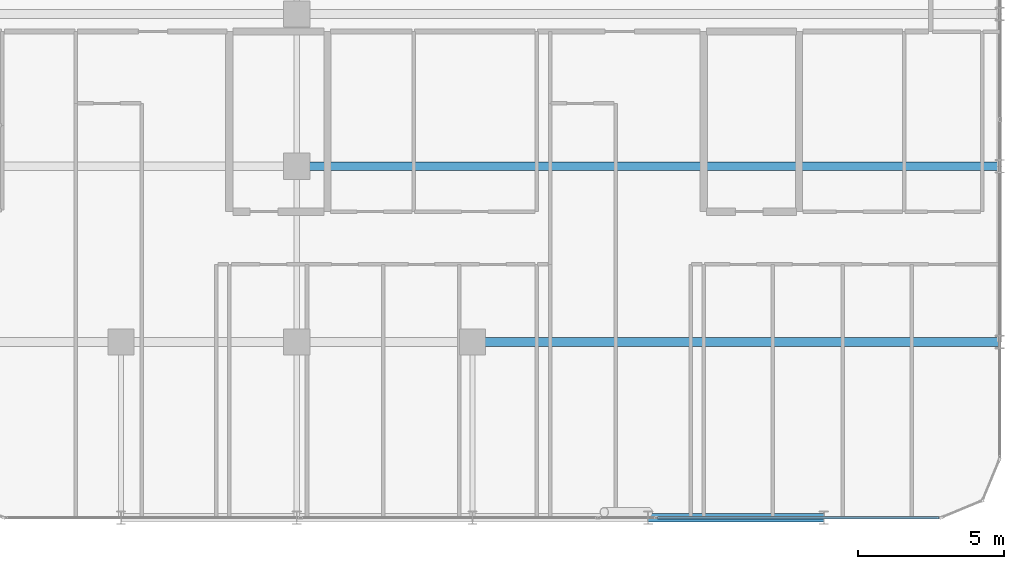
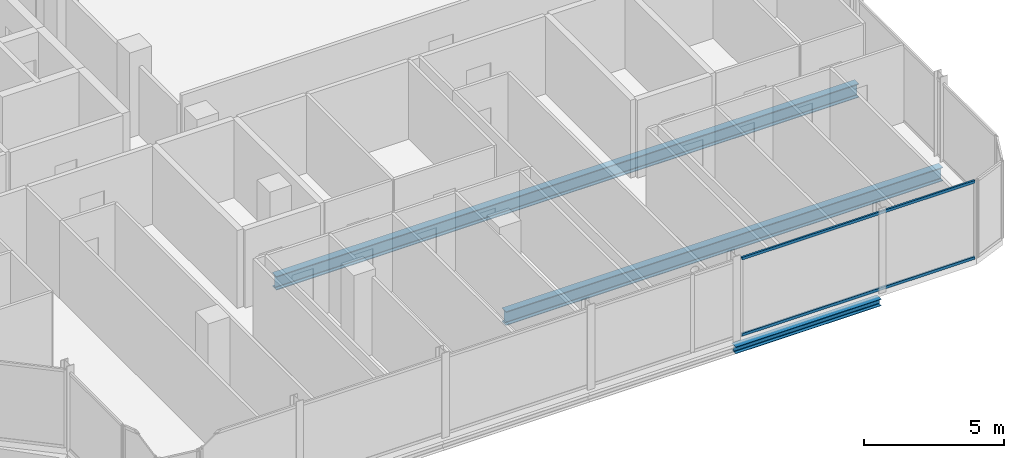
# One storey, part 11 of 29: 3 beams, 2 members, 1 element without a shape of its own.
"""IFC4 building model written with IfcOpenShell, lengths in metres."""

from ifc_helpers import new_model, si_unit, direction, frame, origin, origin_2d, place, context, subcontext, project, spatial, hollow_rectangle, i_section, extrude, material, layer, layer_set, material_profile, profile_set, type_object, element, aggregate, save


model = new_model("IFC4")

# Units and contexts
model_context = context("Model", 3, precision=1e-05, world=origin(), true_north=direction((0.0, 1.0)))
body_context = subcontext(model_context, "Body", "Model", "MODEL_VIEW")
ifc_project = project(units=[si_unit("LENGTHUNIT", "METRE"), si_unit("AREAUNIT", "SQUARE_METRE"), si_unit("VOLUMEUNIT", "CUBIC_METRE"), si_unit("PLANEANGLEUNIT", "RADIAN"), si_unit("MASSUNIT", "GRAM", prefix="KILO")], contexts=[model_context])

# Site, building, storey
site_placement = place(None, origin())
site = spatial("IfcSite", under=ifc_project, at=site_placement, CompositionType="ELEMENT")
building_placement = place(site_placement, origin())
building = spatial("IfcBuilding", under=site, at=building_placement, Name="Keshet Zoharim Tower", CompositionType="ELEMENT")
storey_placement = place(building_placement, frame((0.0, 0.0, 169.10009765625)))
storey = spatial("IfcBuildingStorey", under=building, at=storey_placement, Name="L41", CompositionType="ELEMENT", Elevation=169.10009765625)

# Beams
ifc_material_1 = material(Name="Steel S355", Category="steel")
ifc_material_profile_1 = material_profile(ifc_material_1, i_section(OverallWidth=0.300048828125, OverallDepth=0.60009765625, WebThickness=0.015380859375, FlangeThickness=0.030029296875, FilletRadius=0.027099609375, at=origin_2d()), Name="HEB600")
ifc_profile_set_1 = profile_set([ifc_material_profile_1], Name="Steel S355")
beam_type_1 = type_object("IfcBeamType", Name="BM-LNG-HB600", PredefinedType="BEAM", material=ifc_profile_set_1)
beam_1_placement = place(storey_placement, frame((39.0, 6.699951171875, -0.610107421875), z_axis=(1.0, 0.0, 0.0), x_axis=(0.0, 1.0, 0.0)))
element("IfcBeam", 1, at=beam_1_placement, inside=storey, type_object=beam_type_1, Name="L41 Primary Girder X-008", PredefinedType="BEAM", context=body_context, shape_type="SweptSolid", body=[
    extrude(i_section(OverallWidth=0.300048828125, OverallDepth=0.60009765625, WebThickness=0.015380859375, FlangeThickness=0.030029296875, FilletRadius=0.027099609375, at=origin_2d()), origin(), (0.0, 0.0, 1.0), 18.0),
])
beam_2_placement = place(storey_placement, frame((33.0, 12.699951171875, -0.610107421875), z_axis=(1.0, 0.0, 0.0), x_axis=(0.0, 1.0, 0.0)))
element("IfcBeam", 2, at=beam_2_placement, inside=storey, type_object=beam_type_1, Name="L41 Primary Girder X-010", PredefinedType="BEAM", context=body_context, shape_type="SweptSolid", body=[
    extrude(i_section(OverallWidth=0.300048828125, OverallDepth=0.60009765625, WebThickness=0.015380859375, FlangeThickness=0.030029296875, FilletRadius=0.027099609375, at=origin_2d()), origin(), (0.0, 0.0, 1.0), 24.0),
])
ifc_material_profile_2 = material_profile(ifc_material_1, i_section(OverallWidth=0.300048828125, OverallDepth=0.300048828125, WebThickness=0.010986328125, FlangeThickness=0.01904296875, FilletRadius=0.027099609375, at=origin_2d()), Name="HEB300")
ifc_profile_set_2 = profile_set([ifc_material_profile_2], Name="Steel S355")
beam_type_2 = type_object("IfcBeamType", Name="BM-PRI-HB300", PredefinedType="BEAM", material=ifc_profile_set_2)
beam_3_placement = place(storey_placement, frame((45.0, 0.699951171875, -0.460205078125), z_axis=(1.0, 0.0, 0.0), x_axis=(0.0, 1.0, 0.0)))
element("IfcBeam", 3, at=beam_3_placement, inside=storey, type_object=beam_type_2, Name="L41 Primary Girder X-004", PredefinedType="BEAM", context=body_context, shape_type="SweptSolid", body=[
    extrude(i_section(OverallWidth=0.300048828125, OverallDepth=0.300048828125, WebThickness=0.010986328125, FlangeThickness=0.01904296875, FilletRadius=0.027099609375, at=origin_2d()), origin(), (0.0, 0.0, 1.0), 6.0),
])

# Curtain wall, members
ifc_material_2 = material(Name="Aluminium 6063-T6", Category="aluminium")
ifc_layer = layer(ifc_material_2, 0.139892578125)
ifc_layer_set = layer_set([ifc_layer], Name="Aluminium 6063-T6")
curtain_wall_type = type_object("IfcCurtainWallType", Name="CW-SYS-05", PredefinedType="NOTDEFINED", material=ifc_layer_set)
curtain_wall_placement = place(storey_placement, origin())
curtain_wall = element("IfcCurtainWall", 4, at=curtain_wall_placement, inside=storey, type_object=curtain_wall_type, Name="L41 Unitised Curtain Wall 06", PredefinedType="NOTDEFINED")
ifc_material_profile_3 = material_profile(ifc_material_2, hollow_rectangle(XDim=0.074951171875, YDim=0.1201171875, WallThickness=0.00390625, at=origin_2d()), Name="TRN-75x120")
ifc_profile_set_3 = profile_set([ifc_material_profile_3], Name="Aluminium 6063-T6")
member_type = type_object("IfcMemberType", Name="CWT-T12", PredefinedType="USERDEFINED", material=ifc_profile_set_3)
member_1_placement = place(storey_placement, frame((54.929931640625, 0.699951171875, 0.034912109375), z_axis=(-1.0, 0.0, 0.0), x_axis=(0.0, -1.0, 0.0)))
member_1 = element("IfcMember", 5, at=member_1_placement, type_object=member_type, Name="CW-05 transom 1.1", ObjectType="TRANSOM", PredefinedType="USERDEFINED", context=body_context, shape_type="SweptSolid", body=[
    extrude(hollow_rectangle(XDim=0.074951171875, YDim=0.1201171875, WallThickness=0.00390625, at=origin_2d()), origin(), (0.0, 0.0, 1.0), 9.61181640625),
])
member_2_placement = place(storey_placement, frame((54.929931640625, 0.699951171875, 3.35498046875), z_axis=(-1.0, 0.0, 0.0), x_axis=(0.0, -1.0, 0.0)))
member_2 = element("IfcMember", 6, at=member_2_placement, type_object=member_type, Name="CW-05 transom 1.2", ObjectType="TRANSOM", PredefinedType="USERDEFINED", context=body_context, shape_type="SweptSolid", body=[
    extrude(hollow_rectangle(XDim=0.074951171875, YDim=0.1201171875, WallThickness=0.00390625, at=origin_2d()), origin(), (0.0, 0.0, 1.0), 9.61181640625),
])
aggregate(curtain_wall, [member_1, member_2])

save(model, "model.ifc")
